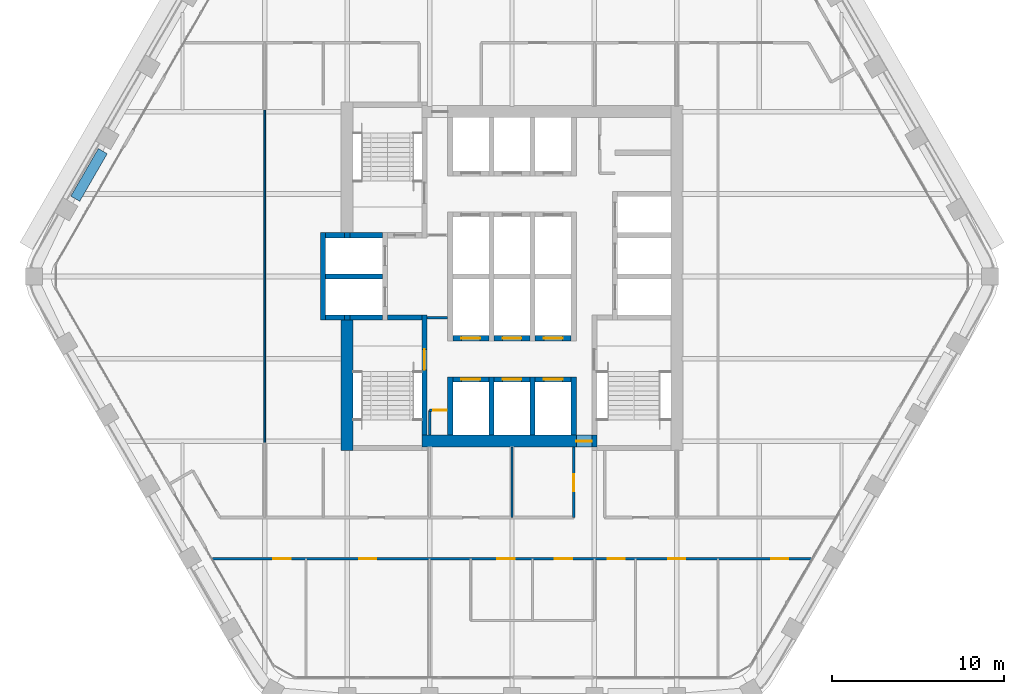
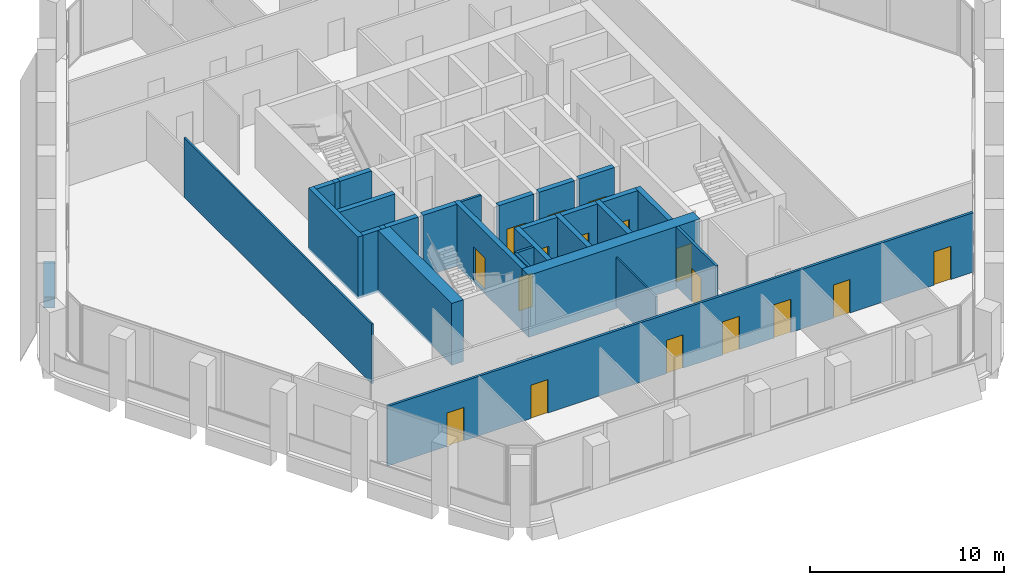
# One storey, part 9 of 15: 30 walls, 17 doors, 17 openings.
"""IFC4 building model written with IfcOpenShell, lengths in metres."""

from ifc_helpers import new_model, si_unit, direction, frame, frame_2d, origin, place, context, subcontext, project, spatial, rectangle, extrude, material, layer, layer_set, type_object, element, fill, save


model = new_model("IFC4")

# Units and contexts
model_context = context("Model", 3, precision=1e-05, world=origin(), true_north=direction((0.0, 1.0)))
body_context = subcontext(model_context, "Body", "Model", "MODEL_VIEW")
ifc_project = project(units=[si_unit("LENGTHUNIT", "METRE"), si_unit("AREAUNIT", "SQUARE_METRE"), si_unit("VOLUMEUNIT", "CUBIC_METRE"), si_unit("PLANEANGLEUNIT", "RADIAN"), si_unit("MASSUNIT", "GRAM", prefix="KILO")], contexts=[model_context])

# Site, building, storey
site_placement = place(None, origin())
site = spatial("IfcSite", under=ifc_project, at=site_placement, CompositionType="ELEMENT")
building_placement = place(site_placement, origin())
building = spatial("IfcBuilding", under=site, at=building_placement, Name="Kolab Exchange Tower", CompositionType="ELEMENT")
storey_placement = place(building_placement, frame((0.0, 0.0, 173.89990234375)))
storey = spatial("IfcBuildingStorey", under=building, at=storey_placement, Name="L36", CompositionType="ELEMENT", Elevation=173.89990234375)

# Wall, opening, door
ifc_material_1 = material(Name="Concrete C60/75", Category="concrete")
ifc_layer_1 = layer(ifc_material_1, 0.699951171875)
ifc_layer_set_1 = layer_set([ifc_layer_1], Name="Concrete C60/75")
wall_type_1 = type_object("IfcWallType", Name="CORE WALL 700 C60/75", PredefinedType="SHEAR", material=ifc_layer_set_1)
wall_1_placement = place(storey_placement, frame((-5.25, -9.60009765625, -0.14990234375), z_axis=(0.0, 0.0, 1.0), x_axis=(1.0, 0.0, 0.0)))
wall_1 = element("IfcWall", 1, at=wall_1_placement, inside=storey, type_object=wall_type_1, Name="wall/L36/core/002", PredefinedType="SHEAR", context=body_context, shape_type="SweptSolid", body=[
    extrude(rectangle(XDim=10.199951171875, YDim=0.699951171875, at=frame_2d((5.10009765625, 0.0))), origin(), (0.0, 0.0, 1.0), 3.89990234375),
])
opening_1_placement = place(wall_1_placement, frame((9.0, 0.0, 0.14990234375)))
opening_1 = element("IfcOpeningElement", 2, at=opening_1_placement, cuts=wall_1, Name="Opening D6-287", PredefinedType="OPENING", context=body_context, shape_type="SweptSolid", body=[
    extrude(rectangle(XDim=0.89990234375, YDim=2.10009765625, at=frame_2d((0.449951171875, 1.050048828125))), frame((0.0, 0.35986328125, 0.0), z_axis=(0.0, -1.0, 0.0), x_axis=(1.0, 0.0, 0.0)), (0.0, 0.0, 1.0), 0.719970703125),
])
ifc_material_2 = material(Name="Steel S235", Category="steel")
door_type_1 = type_object("IfcDoorType", Name="CORE DOOR 900 EI 120", OperationType="SINGLE_SWING_LEFT", PredefinedType="DOOR", material=ifc_material_2)
door_1_placement = place(opening_1_placement, origin())
door_1 = element("IfcDoor", 3, at=door_1_placement, inside=storey, type_object=door_type_1, Name="Core lobby door", OperationType="SINGLE_SWING_LEFT", OverallHeight=2.10009765625, OverallWidth=0.89990234375, PredefinedType="DOOR", context=body_context, shape_type="SweptSolid", body=[
    extrude(rectangle(XDim=0.89990234375, YDim=2.10009765625, at=frame_2d((0.449951171875, 1.050048828125))), frame((0.0, 0.02490234375, 0.0), z_axis=(0.0, -1.0, 0.0), x_axis=(1.0, 0.0, 0.0)), (0.0, 0.0, 1.0), 0.050048828125),
])
fill(opening_1, door_1)

# Wall
wall_2_placement = place(storey_placement, frame((-9.60009765625, -10.14990234375, -0.14990234375), z_axis=(0.0, 0.0, 1.0), x_axis=(0.0, 1.0, 0.0)))
element("IfcWall", 4, at=wall_2_placement, inside=storey, type_object=wall_type_1, Name="wall/L36/core/034", PredefinedType="SHEAR", context=body_context, shape_type="SweptSolid", body=[
    extrude(rectangle(XDim=7.599853515625, YDim=0.699951171875, at=frame_2d((3.7998046875, 0.0))), origin(), (0.0, 0.0, 1.0), 3.89990234375),
])

# Wall, opening, door
ifc_material_3 = material(Name="Concrete C50/60", Category="concrete")
ifc_layer_2 = layer(ifc_material_3, 0.300048828125)
ifc_layer_set_2 = layer_set([ifc_layer_2], Name="Concrete C50/60")
wall_type_2 = type_object("IfcWallType", Name="LIFT SHAFT WALL 300 C50/60", PredefinedType="STANDARD", material=ifc_layer_set_2)
wall_3_placement = place(storey_placement, frame((-3.449951171875, -6.0, -0.14990234375), z_axis=(0.0, 0.0, 1.0), x_axis=(1.0, 0.0, 0.0)))
wall_3 = element("IfcWall", 5, at=wall_3_placement, inside=storey, type_object=wall_type_2, Name="wall/L36/core/003", PredefinedType="STANDARD", context=body_context, shape_type="SweptSolid", body=[
    extrude(rectangle(XDim=2.099853515625, YDim=0.300048828125, at=frame_2d((1.0498046875, 0.0))), origin(), (0.0, 0.0, 1.0), 3.89990234375),
])
opening_2_placement = place(wall_3_placement, frame((0.5, 0.0, 0.14990234375)))
opening_2 = element("IfcOpeningElement", 6, at=opening_2_placement, cuts=wall_3, Name="Opening LD1-110", PredefinedType="OPENING", context=body_context, shape_type="SweptSolid", body=[
    extrude(rectangle(XDim=1.10009765625, YDim=2.10009765625, at=frame_2d((0.550048828125, 1.050048828125))), frame((0.0, 0.16015625, 0.0), z_axis=(0.0, -1.0, 0.0), x_axis=(1.0, 0.0, 0.0)), (0.0, 0.0, 1.0), 0.320068359375),
])
ifc_material_4 = material(Name="Stainless steel 316", Category="steel")
door_type_2 = type_object("IfcDoorType", Name="LANDING DOOR 1100 PASSENGER", OperationType="DOUBLE_DOOR_SLIDING", PredefinedType="DOOR", material=ifc_material_4)
door_2_placement = place(opening_2_placement, origin())
door_2 = element("IfcDoor", 7, at=door_2_placement, inside=storey, type_object=door_type_2, Name="Landing door HR10", OperationType="DOUBLE_DOOR_SLIDING", OverallHeight=2.10009765625, OverallWidth=1.10009765625, PredefinedType="DOOR", context=body_context, shape_type="SweptSolid", body=[
    extrude(rectangle(XDim=1.10009765625, YDim=2.10009765625, at=frame_2d((0.550048828125, 1.050048828125))), frame((0.0, 0.02490234375, 0.0), z_axis=(0.0, -1.0, 0.0), x_axis=(1.0, 0.0, 0.0)), (0.0, 0.0, 1.0), 0.050048828125),
])
fill(opening_2, door_2)

wall_4_placement = place(storey_placement, frame((-1.050048828125, -6.0, -0.14990234375), z_axis=(0.0, 0.0, 1.0), x_axis=(1.0, 0.0, 0.0)))
wall_4 = element("IfcWall", 8, at=wall_4_placement, inside=storey, type_object=wall_type_2, Name="wall/L36/core/004", PredefinedType="STANDARD", context=body_context, shape_type="SweptSolid", body=[
    extrude(rectangle(XDim=2.10009765625, YDim=0.300048828125, at=frame_2d((1.050048828125, 0.0))), origin(), (0.0, 0.0, 1.0), 3.89990234375),
])
opening_3_placement = place(wall_4_placement, frame((0.5, 0.0, 0.14990234375)))
opening_3 = element("IfcOpeningElement", 9, at=opening_3_placement, cuts=wall_4, Name="Opening LD1-111", PredefinedType="OPENING", context=body_context, shape_type="SweptSolid", body=[
    extrude(rectangle(XDim=1.10009765625, YDim=2.10009765625, at=frame_2d((0.550048828125, 1.050048828125))), frame((0.0, 0.16015625, 0.0), z_axis=(0.0, -1.0, 0.0), x_axis=(1.0, 0.0, 0.0)), (0.0, 0.0, 1.0), 0.320068359375),
])
door_3_placement = place(opening_3_placement, origin())
door_3 = element("IfcDoor", 10, at=door_3_placement, inside=storey, type_object=door_type_2, Name="Landing door HR11", OperationType="DOUBLE_DOOR_SLIDING", OverallHeight=2.10009765625, OverallWidth=1.10009765625, PredefinedType="DOOR", context=body_context, shape_type="SweptSolid", body=[
    extrude(rectangle(XDim=1.10009765625, YDim=2.10009765625, at=frame_2d((0.550048828125, 1.050048828125))), frame((0.0, 0.02490234375, 0.0), z_axis=(0.0, -1.0, 0.0), x_axis=(1.0, 0.0, 0.0)), (0.0, 0.0, 1.0), 0.050048828125),
])
fill(opening_3, door_3)

wall_5_placement = place(storey_placement, frame((1.35009765625, -6.0, -0.14990234375), z_axis=(0.0, 0.0, 1.0), x_axis=(1.0, 0.0, 0.0)))
wall_5 = element("IfcWall", 11, at=wall_5_placement, inside=storey, type_object=wall_type_2, Name="wall/L36/core/005", PredefinedType="STANDARD", context=body_context, shape_type="SweptSolid", body=[
    extrude(rectangle(XDim=2.099853515625, YDim=0.300048828125, at=frame_2d((1.0498046875, 0.0))), origin(), (0.0, 0.0, 1.0), 3.89990234375),
])
opening_4_placement = place(wall_5_placement, frame((0.5, 0.0, 0.14990234375)))
opening_4 = element("IfcOpeningElement", 12, at=opening_4_placement, cuts=wall_5, Name="Opening LD1-112", PredefinedType="OPENING", context=body_context, shape_type="SweptSolid", body=[
    extrude(rectangle(XDim=1.10009765625, YDim=2.10009765625, at=frame_2d((0.550048828125, 1.050048828125))), frame((0.0, 0.16015625, 0.0), z_axis=(0.0, -1.0, 0.0), x_axis=(1.0, 0.0, 0.0)), (0.0, 0.0, 1.0), 0.320068359375),
])
door_4_placement = place(opening_4_placement, origin())
door_4 = element("IfcDoor", 13, at=door_4_placement, inside=storey, type_object=door_type_2, Name="Landing door HR12", OperationType="DOUBLE_DOOR_SLIDING", OverallHeight=2.10009765625, OverallWidth=1.10009765625, PredefinedType="DOOR", context=body_context, shape_type="SweptSolid", body=[
    extrude(rectangle(XDim=1.10009765625, YDim=2.10009765625, at=frame_2d((0.550048828125, 1.050048828125))), frame((0.0, 0.02490234375, 0.0), z_axis=(0.0, -1.0, 0.0), x_axis=(1.0, 0.0, 0.0)), (0.0, 0.0, 1.0), 0.050048828125),
])
fill(opening_4, door_4)

wall_6_placement = place(storey_placement, frame((-3.449951171875, -3.60009765625, -0.14990234375), z_axis=(0.0, 0.0, 1.0), x_axis=(1.0, 0.0, 0.0)))
wall_6 = element("IfcWall", 14, at=wall_6_placement, inside=storey, type_object=wall_type_2, Name="wall/L36/core/006", PredefinedType="STANDARD", context=body_context, shape_type="SweptSolid", body=[
    extrude(rectangle(XDim=2.099853515625, YDim=0.300048828125, at=frame_2d((1.0498046875, 0.0))), origin(), (0.0, 0.0, 1.0), 3.89990234375),
])
opening_5_placement = place(wall_6_placement, frame((0.5, 0.0, 0.14990234375)))
opening_5 = element("IfcOpeningElement", 15, at=opening_5_placement, cuts=wall_6, Name="Opening LD1-118", PredefinedType="OPENING", context=body_context, shape_type="SweptSolid", body=[
    extrude(rectangle(XDim=1.10009765625, YDim=2.10009765625, at=frame_2d((0.550048828125, 1.050048828125))), frame((0.0, 0.16015625, 0.0), z_axis=(0.0, -1.0, 0.0), x_axis=(1.0, 0.0, 0.0)), (0.0, 0.0, 1.0), 0.320068359375),
])
door_5_placement = place(opening_5_placement, origin())
door_5 = element("IfcDoor", 16, at=door_5_placement, inside=storey, type_object=door_type_2, Name="Landing door HR7", OperationType="DOUBLE_DOOR_SLIDING", OverallHeight=2.10009765625, OverallWidth=1.10009765625, PredefinedType="DOOR", context=body_context, shape_type="SweptSolid", body=[
    extrude(rectangle(XDim=1.10009765625, YDim=2.10009765625, at=frame_2d((0.550048828125, 1.050048828125))), frame((0.0, 0.02490234375, 0.0), z_axis=(0.0, -1.0, 0.0), x_axis=(1.0, 0.0, 0.0)), (0.0, 0.0, 1.0), 0.050048828125),
])
fill(opening_5, door_5)

wall_7_placement = place(storey_placement, frame((-1.050048828125, -3.60009765625, -0.14990234375), z_axis=(0.0, 0.0, 1.0), x_axis=(1.0, 0.0, 0.0)))
wall_7 = element("IfcWall", 17, at=wall_7_placement, inside=storey, type_object=wall_type_2, Name="wall/L36/core/007", PredefinedType="STANDARD", context=body_context, shape_type="SweptSolid", body=[
    extrude(rectangle(XDim=2.10009765625, YDim=0.300048828125, at=frame_2d((1.050048828125, 0.0))), origin(), (0.0, 0.0, 1.0), 3.89990234375),
])
opening_6_placement = place(wall_7_placement, frame((0.5, 0.0, 0.14990234375)))
opening_6 = element("IfcOpeningElement", 18, at=opening_6_placement, cuts=wall_7, Name="Opening LD1-119", PredefinedType="OPENING", context=body_context, shape_type="SweptSolid", body=[
    extrude(rectangle(XDim=1.10009765625, YDim=2.10009765625, at=frame_2d((0.550048828125, 1.050048828125))), frame((0.0, 0.16015625, 0.0), z_axis=(0.0, -1.0, 0.0), x_axis=(1.0, 0.0, 0.0)), (0.0, 0.0, 1.0), 0.320068359375),
])
door_6_placement = place(opening_6_placement, origin())
door_6 = element("IfcDoor", 19, at=door_6_placement, inside=storey, type_object=door_type_2, Name="Landing door HR8", OperationType="DOUBLE_DOOR_SLIDING", OverallHeight=2.10009765625, OverallWidth=1.10009765625, PredefinedType="DOOR", context=body_context, shape_type="SweptSolid", body=[
    extrude(rectangle(XDim=1.10009765625, YDim=2.10009765625, at=frame_2d((0.550048828125, 1.050048828125))), frame((0.0, 0.02490234375, 0.0), z_axis=(0.0, -1.0, 0.0), x_axis=(1.0, 0.0, 0.0)), (0.0, 0.0, 1.0), 0.050048828125),
])
fill(opening_6, door_6)

wall_8_placement = place(storey_placement, frame((1.35009765625, -3.60009765625, -0.14990234375), z_axis=(0.0, 0.0, 1.0), x_axis=(1.0, 0.0, 0.0)))
wall_8 = element("IfcWall", 20, at=wall_8_placement, inside=storey, type_object=wall_type_2, Name="wall/L36/core/008", PredefinedType="STANDARD", context=body_context, shape_type="SweptSolid", body=[
    extrude(rectangle(XDim=2.099853515625, YDim=0.300048828125, at=frame_2d((1.0498046875, 0.0))), origin(), (0.0, 0.0, 1.0), 3.89990234375),
])
opening_7_placement = place(wall_8_placement, frame((0.5, 0.0, 0.14990234375)))
opening_7 = element("IfcOpeningElement", 21, at=opening_7_placement, cuts=wall_8, Name="Opening LD1-120", PredefinedType="OPENING", context=body_context, shape_type="SweptSolid", body=[
    extrude(rectangle(XDim=1.10009765625, YDim=2.10009765625, at=frame_2d((0.550048828125, 1.050048828125))), frame((0.0, 0.16015625, 0.0), z_axis=(0.0, -1.0, 0.0), x_axis=(1.0, 0.0, 0.0)), (0.0, 0.0, 1.0), 0.320068359375),
])
door_7_placement = place(opening_7_placement, origin())
door_7 = element("IfcDoor", 22, at=door_7_placement, inside=storey, type_object=door_type_2, Name="Landing door HR9", OperationType="DOUBLE_DOOR_SLIDING", OverallHeight=2.10009765625, OverallWidth=1.10009765625, PredefinedType="DOOR", context=body_context, shape_type="SweptSolid", body=[
    extrude(rectangle(XDim=1.10009765625, YDim=2.10009765625, at=frame_2d((0.550048828125, 1.050048828125))), frame((0.0, 0.02490234375, 0.0), z_axis=(0.0, -1.0, 0.0), x_axis=(1.0, 0.0, 0.0)), (0.0, 0.0, 1.0), 0.050048828125),
])
fill(opening_7, door_7)

# Walls
wall_9_placement = place(storey_placement, frame((-10.85009765625, -2.39990234375, -0.14990234375), z_axis=(0.0, 0.0, 1.0), x_axis=(1.0, 0.0, 0.0)))
element("IfcWall", 23, at=wall_9_placement, inside=storey, type_object=wall_type_2, Name="wall/L36/core/009", PredefinedType="STANDARD", context=body_context, shape_type="SweptSolid", body=[
    extrude(rectangle(XDim=1.10009765625, YDim=0.300048828125, at=frame_2d((0.550048828125, 0.0))), origin(), (0.0, 0.0, 1.0), 3.89990234375),
])
wall_10_placement = place(storey_placement, frame((-10.85009765625, 0.0, -0.14990234375), z_axis=(0.0, 0.0, 1.0), x_axis=(1.0, 0.0, 0.0)))
element("IfcWall", 24, at=wall_10_placement, inside=storey, type_object=wall_type_2, Name="wall/L36/core/014", PredefinedType="STANDARD", context=body_context, shape_type="SweptSolid", body=[
    extrude(rectangle(XDim=3.300048828125, YDim=0.300048828125, at=frame_2d((1.64990234375, 0.0))), origin(), (0.0, 0.0, 1.0), 3.89990234375),
])
wall_11_placement = place(storey_placement, frame((-10.85009765625, 2.39990234375, -0.14990234375), z_axis=(0.0, 0.0, 1.0), x_axis=(1.0, 0.0, 0.0)))
element("IfcWall", 25, at=wall_11_placement, inside=storey, type_object=wall_type_2, Name="wall/L36/core/019", PredefinedType="STANDARD", context=body_context, shape_type="SweptSolid", body=[
    extrude(rectangle(XDim=1.10009765625, YDim=0.300048828125, at=frame_2d((0.550048828125, 0.0))), origin(), (0.0, 0.0, 1.0), 3.89990234375),
])
wall_12_placement = place(storey_placement, frame((-11.0, -2.550048828125, -0.14990234375), z_axis=(0.0, 0.0, 1.0), x_axis=(0.0, 1.0, 0.0)))
element("IfcWall", 26, at=wall_12_placement, inside=storey, type_object=wall_type_2, Name="wall/L36/core/033", PredefinedType="STANDARD", context=body_context, shape_type="SweptSolid", body=[
    extrude(rectangle(XDim=5.10009765625, YDim=0.300048828125, at=frame_2d((2.550048828125, 0.0))), origin(), (0.0, 0.0, 1.0), 3.89990234375),
])
for number, where, z_axis, x_axis, name in (
    (27, (-3.60009765625, -9.25, -0.14990234375), (0.0, 0.0, 1.0), (0.0, 1.0, 0.0), "wall/L36/core/043"),
    (28, (-1.199951171875, -9.25, -0.14990234375), (0.0, 0.0, 1.0), (0.0, 1.0, 0.0), "wall/L36/core/046"),
    (29, (1.199951171875, -9.25, -0.14990234375), (0.0, 0.0, 1.0), (0.0, 1.0, 0.0), "wall/L36/core/049"),
    (30, (3.60009765625, -9.25, -0.14990234375), (0.0, 0.0, 1.0), (0.0, 1.0, 0.0), "wall/L36/core/052"),
):
    element("IfcWall", number, at=place(storey_placement, frame(where, z_axis=z_axis, x_axis=x_axis)), inside=storey, type_object=wall_type_2, Name=name, PredefinedType="STANDARD", context=body_context, shape_type="SweptSolid", body=[
        extrude(rectangle(XDim=3.39990234375, YDim=0.300048828125, at=frame_2d((1.699951171875, 0.0))), origin(), (0.0, 0.0, 1.0), 3.89990234375),
    ])
ifc_material_5 = material(Name="Gypsum board", Category="gypsum")
ifc_layer_3 = layer(ifc_material_5, 0.10009765625)
ifc_layer_set_3 = layer_set([ifc_layer_3], Name="Gypsum board")
wall_type_3 = type_object("IfcWallType", Name="PARTITION 100", PredefinedType="PARTITIONING", material=ifc_layer_set_3)
wall_13_placement = place(storey_placement, frame((0.0, -14.04150390625, 0.0), z_axis=(0.0, 0.0, 1.0), x_axis=(0.0, 1.0, 0.0)))
element("IfcWall", 31, at=wall_13_placement, inside=storey, type_object=wall_type_3, Name="Partition 015", PredefinedType="PARTITIONING", context=body_context, shape_type="SweptSolid", body=[
    extrude(rectangle(XDim=4.091552734375, YDim=0.10009765625, at=frame_2d((2.0458984375, 0.0))), origin(), (0.0, 0.0, 1.0), 3.066162109375),
])
wall_14_placement = place(storey_placement, frame((-14.39990234375, -9.693603515625, 0.0), z_axis=(0.0, 0.0, 1.0), x_axis=(0.0, 1.0, 0.0)))
element("IfcWall", 32, at=wall_14_placement, inside=storey, type_object=wall_type_3, Name="Partition 029", PredefinedType="PARTITIONING", context=body_context, shape_type="SweptSolid", body=[
    extrude(rectangle(XDim=19.38720703125, YDim=0.10009765625, at=frame_2d((9.693603515625, 0.0))), origin(), (0.0, 0.0, 1.0), 3.75),
])

# Wall, opening, door
ifc_layer_4 = layer(ifc_material_5, 0.14990234375)
ifc_layer_set_4 = layer_set([ifc_layer_4], Name="Gypsum board")
wall_type_4 = type_object("IfcWallType", Name="PARTITION 150 FIRE-RATED", PredefinedType="PARTITIONING", material=ifc_layer_set_4)
wall_15_placement = place(storey_placement, frame((3.60009765625, -14.04150390625, 0.0), z_axis=(0.0, 0.0, 1.0), x_axis=(0.0, 1.0, 0.0)))
wall_15 = element("IfcWall", 33, at=wall_15_placement, inside=storey, type_object=wall_type_4, Name="Partition 012", PredefinedType="PARTITIONING", context=body_context, shape_type="SweptSolid", body=[
    extrude(rectangle(XDim=4.091552734375, YDim=0.14990234375, at=frame_2d((2.0458984375, 0.0))), origin(), (0.0, 0.0, 1.0), 3.75),
])
opening_8_placement = place(wall_15_placement, frame((1.520751953125, 0.0, 0.0)))
opening_8 = element("IfcOpeningElement", 34, at=opening_8_placement, cuts=wall_15, Name="Opening D1-476", PredefinedType="OPENING", context=body_context, shape_type="SweptSolid", body=[
    extrude(rectangle(XDim=1.0, YDim=2.10009765625, at=frame_2d((0.5, 1.050048828125))), frame((0.0, 0.0849609375, 0.0), z_axis=(0.0, -1.0, 0.0), x_axis=(1.0, 0.0, 0.0)), (0.0, 0.0, 1.0), 0.169921875),
])
door_type_3 = type_object("IfcDoorType", Name="FLUSH DOOR 1000 FD60", OperationType="SINGLE_SWING_LEFT", PredefinedType="DOOR", material=ifc_material_2)
door_8_placement = place(opening_8_placement, origin())
door_8 = element("IfcDoor", 35, at=door_8_placement, inside=storey, type_object=door_type_3, Name="Door L36-037", OperationType="SINGLE_SWING_RIGHT", OverallHeight=2.10009765625, OverallWidth=1.0, PredefinedType="DOOR", context=body_context, shape_type="SweptSolid", body=[
    extrude(rectangle(XDim=1.0, YDim=2.10009765625, at=frame_2d((0.5, 1.050048828125))), frame((0.0, 0.02490234375, 0.0), z_axis=(0.0, -1.0, 0.0), x_axis=(1.0, 0.0, 0.0)), (0.0, 0.0, 1.0), 0.050048828125),
])
fill(opening_8, door_8)

# Wall
wall_16_placement = place(storey_placement, frame((-4.800048828125, -9.25, 0.0), z_axis=(0.0, 0.0, 1.0), x_axis=(0.0, 1.0, 0.0)))
element("IfcWall", 36, at=wall_16_placement, inside=storey, type_object=wall_type_4, Name="Partition 022", PredefinedType="PARTITIONING", context=body_context, shape_type="SweptSolid", body=[
    extrude(rectangle(XDim=1.449951171875, YDim=0.14990234375, at=frame_2d((0.72509765625, 0.0))), origin(), (0.0, 0.0, 1.0), 3.75),
])

# Wall, openings, doors
wall_17_placement = place(storey_placement, frame((-17.43701171875, -16.44140625, 0.0), z_axis=(0.0, 0.0, 1.0), x_axis=(1.0, 0.0, 0.0)))
wall_17 = element("IfcWall", 37, at=wall_17_placement, inside=storey, type_object=wall_type_4, Name="Partition 035", PredefinedType="PARTITIONING", context=body_context, shape_type="SweptSolid", body=[
    extrude(rectangle(XDim=34.8740234375, YDim=0.14990234375, at=frame_2d((17.43701171875, 0.0))), origin(), (0.0, 0.0, 1.0), 3.75),
])
opening_9_placement = place(wall_17_placement, frame((16.591796875, 0.0, 0.0)))
opening_9 = element("IfcOpeningElement", 38, at=opening_9_placement, cuts=wall_17, Name="Opening D1-485", PredefinedType="OPENING", context=body_context, shape_type="SweptSolid", body=[
    extrude(rectangle(XDim=1.0, YDim=2.10009765625, at=frame_2d((0.5, 1.050048828125))), frame((0.0, 0.0849609375, 0.0), z_axis=(0.0, -1.0, 0.0), x_axis=(1.0, 0.0, 0.0)), (0.0, 0.0, 1.0), 0.169921875),
])
opening_10_placement = place(wall_17_placement, frame((19.93701171875, 0.0, 0.0)))
opening_10 = element("IfcOpeningElement", 39, at=opening_10_placement, cuts=wall_17, Name="Opening D1-486", PredefinedType="OPENING", context=body_context, shape_type="SweptSolid", body=[
    extrude(rectangle(XDim=1.0, YDim=2.10009765625, at=frame_2d((0.5, 1.050048828125))), frame((0.0, 0.0849609375, 0.0), z_axis=(0.0, -1.0, 0.0), x_axis=(1.0, 0.0, 0.0)), (0.0, 0.0, 1.0), 0.169921875),
])
opening_11_placement = place(wall_17_placement, frame((3.54052734375, 0.0, 0.0)))
opening_11 = element("IfcOpeningElement", 40, at=opening_11_placement, cuts=wall_17, Name="Opening D1-487", PredefinedType="OPENING", context=body_context, shape_type="SweptSolid", body=[
    extrude(rectangle(XDim=1.0, YDim=2.10009765625, at=frame_2d((0.5, 1.050048828125))), frame((0.0, 0.0849609375, 0.0), z_axis=(0.0, -1.0, 0.0), x_axis=(1.0, 0.0, 0.0)), (0.0, 0.0, 1.0), 0.169921875),
])
opening_12_placement = place(wall_17_placement, frame((8.536865234375, 0.0, 0.0)))
opening_12 = element("IfcOpeningElement", 41, at=opening_12_placement, cuts=wall_17, Name="Opening D1-488", PredefinedType="OPENING", context=body_context, shape_type="SweptSolid", body=[
    extrude(rectangle(XDim=1.0, YDim=2.10009765625, at=frame_2d((0.5, 1.050048828125))), frame((0.0, 0.0849609375, 0.0), z_axis=(0.0, -1.0, 0.0), x_axis=(1.0, 0.0, 0.0)), (0.0, 0.0, 1.0), 0.169921875),
])
opening_13_placement = place(wall_17_placement, frame((23.011962890625, 0.0, 0.0)))
opening_13 = element("IfcOpeningElement", 42, at=opening_13_placement, cuts=wall_17, Name="Opening D1-489", PredefinedType="OPENING", context=body_context, shape_type="SweptSolid", body=[
    extrude(rectangle(XDim=1.0, YDim=2.10009765625, at=frame_2d((0.5, 1.050048828125))), frame((0.0, 0.0849609375, 0.0), z_axis=(0.0, -1.0, 0.0), x_axis=(1.0, 0.0, 0.0)), (0.0, 0.0, 1.0), 0.169921875),
])
opening_14_placement = place(wall_17_placement, frame((26.536865234375, 0.0, 0.0)))
opening_14 = element("IfcOpeningElement", 43, at=opening_14_placement, cuts=wall_17, Name="Opening D1-490", PredefinedType="OPENING", context=body_context, shape_type="SweptSolid", body=[
    extrude(rectangle(XDim=1.0, YDim=2.10009765625, at=frame_2d((0.5, 1.050048828125))), frame((0.0, 0.0849609375, 0.0), z_axis=(0.0, -1.0, 0.0), x_axis=(1.0, 0.0, 0.0)), (0.0, 0.0, 1.0), 0.169921875),
])
opening_15_placement = place(wall_17_placement, frame((32.53076171875, 0.0, 0.0)))
opening_15 = element("IfcOpeningElement", 44, at=opening_15_placement, cuts=wall_17, Name="Opening D1-491", PredefinedType="OPENING", context=body_context, shape_type="SweptSolid", body=[
    extrude(rectangle(XDim=1.0, YDim=2.10009765625, at=frame_2d((0.5, 1.050048828125))), frame((0.0, 0.0849609375, 0.0), z_axis=(0.0, -1.0, 0.0), x_axis=(1.0, 0.0, 0.0)), (0.0, 0.0, 1.0), 0.169921875),
])
door_9_placement = place(opening_9_placement, frame((1.0, 0.0, 0.0), z_axis=(0.0, 0.0, 1.0), x_axis=(-1.0, 0.0, 0.0)))
door_9 = element("IfcDoor", 45, at=door_9_placement, inside=storey, type_object=door_type_3, Name="Door L36-046", OperationType="SINGLE_SWING_RIGHT", OverallHeight=2.10009765625, OverallWidth=1.0, PredefinedType="DOOR", context=body_context, shape_type="SweptSolid", body=[
    extrude(rectangle(XDim=1.0, YDim=2.10009765625, at=frame_2d((0.5, 1.050048828125))), frame((0.0, 0.02490234375, 0.0), z_axis=(0.0, -1.0, 0.0), x_axis=(1.0, 0.0, 0.0)), (0.0, 0.0, 1.0), 0.050048828125),
])
fill(opening_9, door_9)
door_10_placement = place(opening_10_placement, frame((1.0, 0.0, 0.0), z_axis=(0.0, 0.0, 1.0), x_axis=(-1.0, 0.0, 0.0)))
door_10 = element("IfcDoor", 46, at=door_10_placement, inside=storey, type_object=door_type_3, Name="Door L36-047", OperationType="SINGLE_SWING_RIGHT", OverallHeight=2.10009765625, OverallWidth=1.0, PredefinedType="DOOR", context=body_context, shape_type="SweptSolid", body=[
    extrude(rectangle(XDim=1.0, YDim=2.10009765625, at=frame_2d((0.5, 1.050048828125))), frame((0.0, 0.02490234375, 0.0), z_axis=(0.0, -1.0, 0.0), x_axis=(1.0, 0.0, 0.0)), (0.0, 0.0, 1.0), 0.050048828125),
])
fill(opening_10, door_10)
door_11_placement = place(opening_11_placement, frame((1.0, 0.0, 0.0), z_axis=(0.0, 0.0, 1.0), x_axis=(-1.0, 0.0, 0.0)))
door_11 = element("IfcDoor", 47, at=door_11_placement, inside=storey, type_object=door_type_3, Name="Door L36-048", OperationType="SINGLE_SWING_RIGHT", OverallHeight=2.10009765625, OverallWidth=1.0, PredefinedType="DOOR", context=body_context, shape_type="SweptSolid", body=[
    extrude(rectangle(XDim=1.0, YDim=2.10009765625, at=frame_2d((0.5, 1.050048828125))), frame((0.0, 0.02490234375, 0.0), z_axis=(0.0, -1.0, 0.0), x_axis=(1.0, 0.0, 0.0)), (0.0, 0.0, 1.0), 0.050048828125),
])
fill(opening_11, door_11)
door_12_placement = place(opening_12_placement, frame((1.0, 0.0, 0.0), z_axis=(0.0, 0.0, 1.0), x_axis=(-1.0, 0.0, 0.0)))
door_12 = element("IfcDoor", 48, at=door_12_placement, inside=storey, type_object=door_type_3, Name="Door L36-049", OperationType="SINGLE_SWING_LEFT", OverallHeight=2.10009765625, OverallWidth=1.0, PredefinedType="DOOR", context=body_context, shape_type="SweptSolid", body=[
    extrude(rectangle(XDim=1.0, YDim=2.10009765625, at=frame_2d((0.5, 1.050048828125))), frame((0.0, 0.02490234375, 0.0), z_axis=(0.0, -1.0, 0.0), x_axis=(1.0, 0.0, 0.0)), (0.0, 0.0, 1.0), 0.050048828125),
])
fill(opening_12, door_12)
door_13_placement = place(opening_13_placement, frame((1.0, 0.0, 0.0), z_axis=(0.0, 0.0, 1.0), x_axis=(-1.0, 0.0, 0.0)))
door_13 = element("IfcDoor", 49, at=door_13_placement, inside=storey, type_object=door_type_3, Name="Door L36-050", OperationType="SINGLE_SWING_RIGHT", OverallHeight=2.10009765625, OverallWidth=1.0, PredefinedType="DOOR", context=body_context, shape_type="SweptSolid", body=[
    extrude(rectangle(XDim=1.0, YDim=2.10009765625, at=frame_2d((0.5, 1.050048828125))), frame((0.0, 0.02490234375, 0.0), z_axis=(0.0, -1.0, 0.0), x_axis=(1.0, 0.0, 0.0)), (0.0, 0.0, 1.0), 0.050048828125),
])
fill(opening_13, door_13)
door_14_placement = place(opening_14_placement, frame((1.0, 0.0, 0.0), z_axis=(0.0, 0.0, 1.0), x_axis=(-1.0, 0.0, 0.0)))
door_14 = element("IfcDoor", 50, at=door_14_placement, inside=storey, type_object=door_type_3, Name="Door L36-051", OperationType="SINGLE_SWING_LEFT", OverallHeight=2.10009765625, OverallWidth=1.0, PredefinedType="DOOR", context=body_context, shape_type="SweptSolid", body=[
    extrude(rectangle(XDim=1.0, YDim=2.10009765625, at=frame_2d((0.5, 1.050048828125))), frame((0.0, 0.02490234375, 0.0), z_axis=(0.0, -1.0, 0.0), x_axis=(1.0, 0.0, 0.0)), (0.0, 0.0, 1.0), 0.050048828125),
])
fill(opening_14, door_14)
door_15_placement = place(opening_15_placement, frame((1.0, 0.0, 0.0), z_axis=(0.0, 0.0, 1.0), x_axis=(-1.0, 0.0, 0.0)))
door_15 = element("IfcDoor", 51, at=door_15_placement, inside=storey, type_object=door_type_3, Name="Door L36-052", OperationType="SINGLE_SWING_RIGHT", OverallHeight=2.10009765625, OverallWidth=1.0, PredefinedType="DOOR", context=body_context, shape_type="SweptSolid", body=[
    extrude(rectangle(XDim=1.0, YDim=2.10009765625, at=frame_2d((0.5, 1.050048828125))), frame((0.0, 0.02490234375, 0.0), z_axis=(0.0, -1.0, 0.0), x_axis=(1.0, 0.0, 0.0)), (0.0, 0.0, 1.0), 0.050048828125),
])
fill(opening_15, door_15)

# Wall, opening, door
wall_18_placement = place(storey_placement, frame((-4.800048828125, -7.800048828125, 0.0), z_axis=(0.0, 0.0, 1.0), x_axis=(1.0, 0.0, 0.0)))
wall_18 = element("IfcWall", 52, at=wall_18_placement, inside=storey, type_object=wall_type_4, Name="Partition 038", PredefinedType="PARTITIONING", context=body_context, shape_type="SweptSolid", body=[
    extrude(rectangle(XDim=1.050048828125, YDim=0.14990234375, at=frame_2d((0.52490234375, 0.0))), origin(), (0.0, 0.0, 1.0), 3.75),
])
opening_16_placement = place(wall_18_placement, frame((0.199951171875, 0.0, 0.0)))
opening_16 = element("IfcOpeningElement", 53, at=opening_16_placement, cuts=wall_18, Name="Opening D7-031", PredefinedType="OPENING", context=body_context, shape_type="SweptSolid", body=[
    extrude(rectangle(XDim=0.800048828125, YDim=2.10009765625, at=frame_2d((0.39990234375, 1.050048828125))), frame((0.0, 0.0849609375, 0.0), z_axis=(0.0, -1.0, 0.0), x_axis=(1.0, 0.0, 0.0)), (0.0, 0.0, 1.0), 0.169921875),
])
door_type_4 = type_object("IfcDoorType", Name="FLUSH DOOR 800 FD60", OperationType="SINGLE_SWING_LEFT", PredefinedType="DOOR", material=ifc_material_2)
door_16_placement = place(opening_16_placement, frame((0.800048828125, 0.0, 0.0), z_axis=(0.0, 0.0, 1.0), x_axis=(-1.0, 0.0, 0.0)))
door_16 = element("IfcDoor", 54, at=door_16_placement, inside=storey, type_object=door_type_4, Name="Door L36-024", OperationType="SINGLE_SWING_RIGHT", OverallHeight=2.10009765625, OverallWidth=0.800048828125, PredefinedType="DOOR", context=body_context, shape_type="SweptSolid", body=[
    extrude(rectangle(XDim=0.800048828125, YDim=2.10009765625, at=frame_2d((0.39990234375, 1.050048828125))), frame((0.0, 0.02490234375, 0.0), z_axis=(0.0, -1.0, 0.0), x_axis=(1.0, 0.0, 0.0)), (0.0, 0.0, 1.0), 0.050048828125),
])
fill(opening_16, door_16)

# Walls
wall_19_placement = place(storey_placement, frame((-4.949951171875, -2.39990234375, 0.0), z_axis=(0.0, 0.0, 1.0), x_axis=(1.0, 0.0, 0.0)))
element("IfcWall", 55, at=wall_19_placement, inside=storey, type_object=wall_type_4, Name="Fire partition", PredefinedType="PARTITIONING", context=body_context, shape_type="SweptSolid", body=[
    extrude(rectangle(XDim=1.199951171875, YDim=0.14990234375, at=frame_2d((0.60009765625, 0.0))), origin(), (0.0, 0.0, 1.0), 3.75),
])
ifc_material_6 = material(Name="Granite facing", Category="masonry")
ifc_layer_5 = layer(ifc_material_6, 0.0400390625)
ifc_material_7 = material(Name="Concrete C40/50 precast", Category="concrete")
ifc_layer_6 = layer(ifc_material_7, 0.56005859375)
ifc_layer_set_5 = layer_set([ifc_layer_5, ifc_layer_6], Name="Concrete C40/50 precast")
wall_type_5 = type_object("IfcWallType", Name="PLANTER BOX 600 X 700 SOIL DEPTH 550", PredefinedType="USERDEFINED", material=ifc_layer_set_5)
wall_20_placement = place(storey_placement, frame((-25.43701171875, 4.524658203125, 0.0), z_axis=(0.0, 0.0, 1.0), x_axis=(0.499938187974, 0.866061088033, 0.0)))
element("IfcWall", 56, at=wall_20_placement, inside=storey, type_object=wall_type_5, Name="Planter", ObjectType="PLANTER", PredefinedType="USERDEFINED", context=body_context, shape_type="SweptSolid", body=[
    extrude(rectangle(XDim=3.2001953125, YDim=0.60009765625, at=frame_2d((1.60009765625, 0.0))), origin(), (0.0, 0.0, 1.0), 0.7001953125),
])
ifc_layer_7 = layer(ifc_material_3, 0.300048828125)
ifc_layer_set_6 = layer_set([ifc_layer_7], Name="Concrete C50/60")
wall_type_6 = type_object("IfcWallType", Name="STAIR ENCLOSURE WALL 300 C50/60", PredefinedType="STANDARD", material=ifc_layer_set_6)
wall_21_placement = place(storey_placement, frame((-9.449951171875, -2.39990234375, -0.14990234375), z_axis=(0.0, 0.0, 1.0), x_axis=(1.0, 0.0, 0.0)))
element("IfcWall", 57, at=wall_21_placement, inside=storey, type_object=wall_type_6, Name="wall/L36/core/010", PredefinedType="STANDARD", context=body_context, shape_type="SweptSolid", body=[
    extrude(rectangle(XDim=1.89990234375, YDim=0.300048828125, at=frame_2d((0.949951171875, 0.0))), origin(), (0.0, 0.0, 1.0), 3.89990234375),
])
wall_22_placement = place(storey_placement, frame((-7.25, -2.39990234375, -0.14990234375), z_axis=(0.0, 0.0, 1.0), x_axis=(1.0, 0.0, 0.0)))
element("IfcWall", 58, at=wall_22_placement, inside=storey, type_object=wall_type_6, Name="wall/L36/core/011", PredefinedType="STANDARD", context=body_context, shape_type="SweptSolid", body=[
    extrude(rectangle(XDim=2.0, YDim=0.300048828125, at=frame_2d((1.0, 0.0))), origin(), (0.0, 0.0, 1.0), 3.89990234375),
])
wall_23_placement = place(storey_placement, frame((-9.449951171875, 2.39990234375, -0.14990234375), z_axis=(0.0, 0.0, 1.0), x_axis=(1.0, 0.0, 0.0)))
element("IfcWall", 59, at=wall_23_placement, inside=storey, type_object=wall_type_6, Name="wall/L36/core/020", PredefinedType="STANDARD", context=body_context, shape_type="SweptSolid", body=[
    extrude(rectangle(XDim=1.89990234375, YDim=0.300048828125, at=frame_2d((0.949951171875, 0.0))), origin(), (0.0, 0.0, 1.0), 3.89990234375),
])
for number, where, z_axis, x_axis, name in (
    (60, (-9.60009765625, -2.550048828125, -0.14990234375), (0.0, 0.0, 1.0), (0.0, 1.0, 0.0), "wall/L36/core/035"),
    (61, (-9.60009765625, 2.25, -0.14990234375), (0.0, 0.0, 1.0), (0.0, 1.0, 0.0), "wall/L36/core/036"),
):
    element("IfcWall", number, at=place(storey_placement, frame(where, z_axis=z_axis, x_axis=x_axis)), inside=storey, type_object=wall_type_6, Name=name, PredefinedType="STANDARD", context=body_context, shape_type="SweptSolid", body=[
        extrude(rectangle(XDim=0.300048828125, YDim=0.300048828125, at=frame_2d((0.14990234375, 0.0))), origin(), (0.0, 0.0, 1.0), 3.89990234375),
    ])

# Wall, opening, door
wall_24_placement = place(storey_placement, frame((-5.10009765625, -9.25, -0.14990234375), z_axis=(0.0, 0.0, 1.0), x_axis=(0.0, 1.0, 0.0)))
wall_24 = element("IfcWall", 62, at=wall_24_placement, inside=storey, type_object=wall_type_6, Name="wall/L36/core/040", PredefinedType="STANDARD", context=body_context, shape_type="SweptSolid", body=[
    extrude(rectangle(XDim=7.0, YDim=0.300048828125, at=frame_2d((3.5, 0.0))), origin(), (0.0, 0.0, 1.0), 3.89990234375),
])
opening_17_placement = place(wall_24_placement, frame((3.800048828125, 0.0, 0.14990234375)))
opening_17 = element("IfcOpeningElement", 63, at=opening_17_placement, cuts=wall_24, Name="Opening D4-068", PredefinedType="OPENING", context=body_context, shape_type="SweptSolid", body=[
    extrude(rectangle(XDim=1.199951171875, YDim=2.10009765625, at=frame_2d((0.60009765625, 1.050048828125))), frame((0.0, 0.16015625, 0.0), z_axis=(0.0, -1.0, 0.0), x_axis=(1.0, 0.0, 0.0)), (0.0, 0.0, 1.0), 0.320068359375),
])
door_type_5 = type_object("IfcDoorType", Name="STAIR DOOR 1200 EI 120", OperationType="SINGLE_SWING_LEFT", PredefinedType="DOOR", material=ifc_material_2)
door_17_placement = place(opening_17_placement, origin())
door_17 = element("IfcDoor", 64, at=door_17_placement, inside=storey, type_object=door_type_5, Name="Stair 3 door", OperationType="SINGLE_SWING_RIGHT", OverallHeight=2.10009765625, OverallWidth=1.199951171875, PredefinedType="DOOR", context=body_context, shape_type="SweptSolid", body=[
    extrude(rectangle(XDim=1.199951171875, YDim=2.10009765625, at=frame_2d((0.60009765625, 1.050048828125))), frame((0.0, 0.02490234375, 0.0), z_axis=(0.0, -1.0, 0.0), x_axis=(1.0, 0.0, 0.0)), (0.0, 0.0, 1.0), 0.050048828125),
])
fill(opening_17, door_17)

save(model, "model.ifc")
